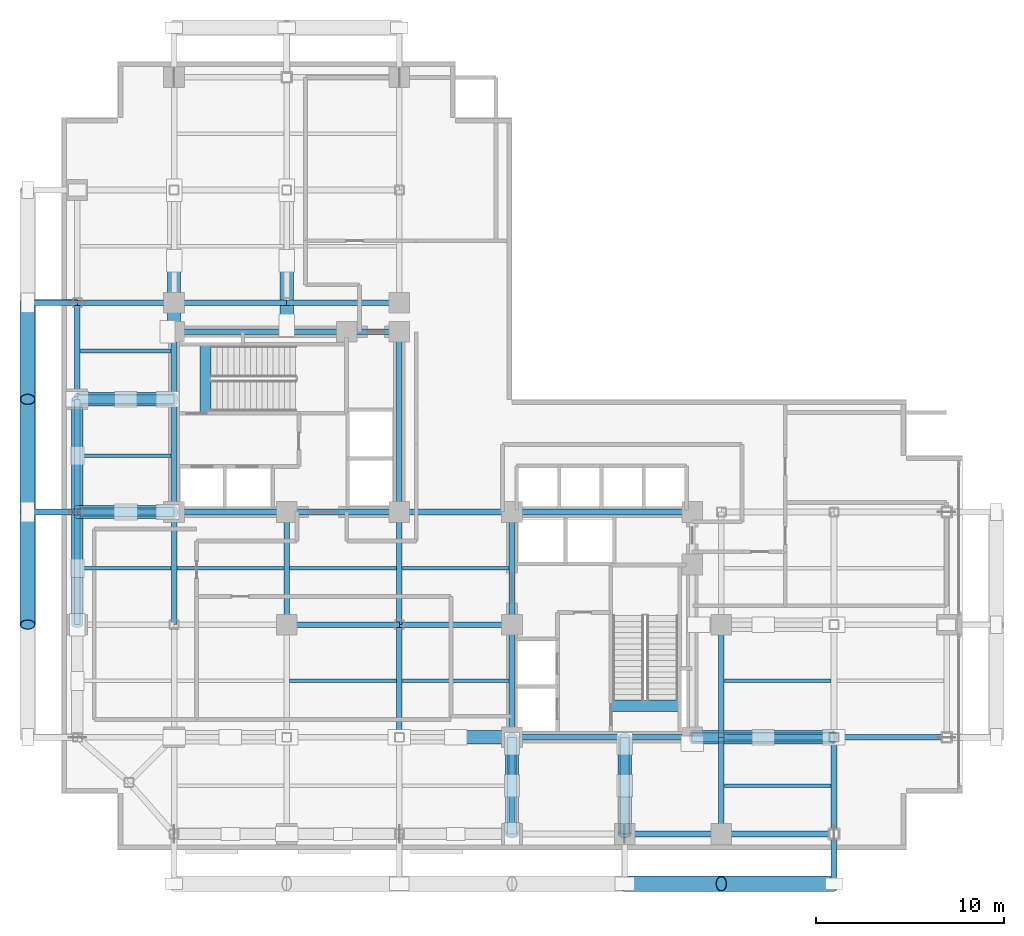
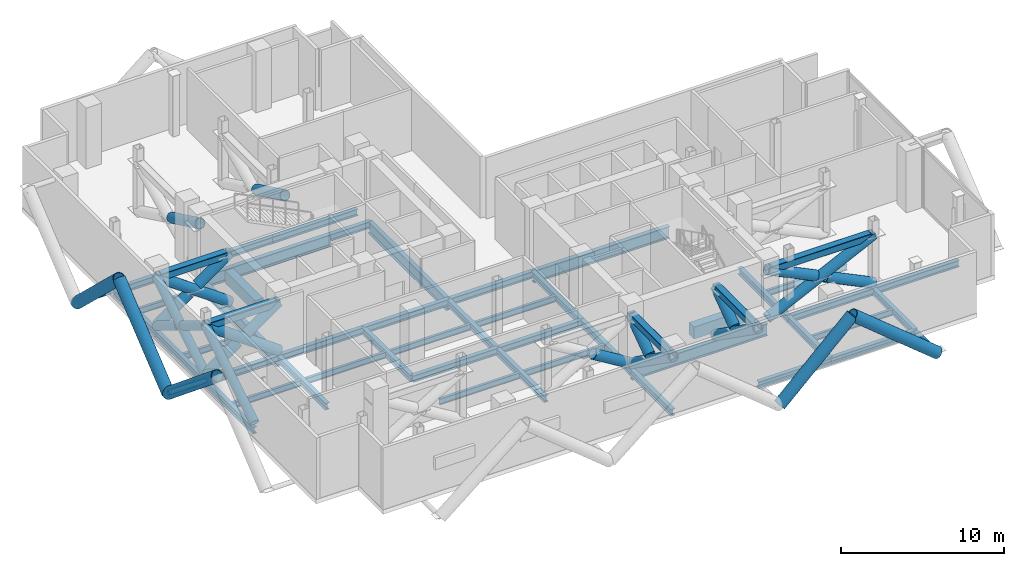
# One storey, part 2 of 9: 44 beams, 34 members.
"""IFC4 building model written with IfcOpenShell, lengths in metres."""

from ifc_helpers import new_model, si_unit, direction, frame, origin, origin_2d, place, context, subcontext, project, spatial, rectangle, hollow_rectangle, hollow_circle, i_section, extrude, material, material_profile, profile_set, type_object, element, save


model = new_model("IFC4")

# Units and contexts
model_context = context("Model", 3, precision=1e-05, world=origin(), true_north=direction((0.0, 1.0)))
body_context = subcontext(model_context, "Body", "Model", "MODEL_VIEW")
ifc_project = project(units=[si_unit("LENGTHUNIT", "METRE"), si_unit("AREAUNIT", "SQUARE_METRE"), si_unit("VOLUMEUNIT", "CUBIC_METRE"), si_unit("PLANEANGLEUNIT", "RADIAN"), si_unit("MASSUNIT", "GRAM", prefix="KILO"), si_unit("THERMODYNAMICTEMPERATUREUNIT", "KELVIN"), si_unit("POWERUNIT", "WATT")], contexts=[model_context])

# Site, building, storey
site_placement = place(None, origin())
site = spatial("IfcSite", under=ifc_project, at=site_placement, CompositionType="ELEMENT")
building_placement = place(site_placement, origin())
building = spatial("IfcBuilding", under=site, at=building_placement, Name="Svarakhadi Broadcast Tower", CompositionType="ELEMENT")
storey_placement = place(building_placement, frame((0.0, 0.0, 164.39990234375)))
storey = spatial("IfcBuildingStorey", under=building, at=storey_placement, Name="L40", CompositionType="ELEMENT", Elevation=164.39990234375)

# Beams
ifc_material_1 = material(Name="Steel S355J2 (IS 2062 E350C)", Category="steel")
ifc_material_profile_1 = material_profile(ifc_material_1, i_section(OverallWidth=0.18994140625, OverallDepth=0.449951171875, WebThickness=0.009521484375, FlangeThickness=0.0146484375, FilletRadius=0.02099609375, at=origin_2d()), Name="NPB 450x190x78")
ifc_profile_set_1 = profile_set([ifc_material_profile_1], Name="Steel S355J2 (IS 2062 E350C)")
beam_type_1 = type_object("IfcBeamType", Name="Beam_NPB450", PredefinedType="BEAM", material=ifc_profile_set_1)
for number, where, z_axis, x_axis, name in (
    (1, (1.010009765625, 15.0, -0.5498046875), (1.0, 0.0, 0.0), (0.0, 1.0, 0.0), "L40 Secondary Composite Beam SB002"),
    (2, (1.010009765625, 21.0, -0.5498046875), (1.0, 0.0, 0.0), (0.0, 1.0, 0.0), "L40 Secondary Composite Beam SB003"),
    (3, (1.010009765625, 26.574951171875, -0.5498046875), (1.0, 0.0, 0.0), (0.0, 1.0, 0.0), "L40 Secondary Composite Beam SB004"),
):
    element("IfcBeam", number, at=place(storey_placement, frame(where, z_axis=z_axis, x_axis=x_axis)), inside=storey, type_object=beam_type_1, Name=name, PredefinedType="BEAM", context=body_context, shape_type="SweptSolid", body=[
        extrude(i_section(OverallWidth=0.18994140625, OverallDepth=0.449951171875, WebThickness=0.009521484375, FlangeThickness=0.0146484375, FilletRadius=0.02099609375, at=origin_2d()), origin(), (0.0, 0.0, 1.0), 4.830078125),
    ])
for number, where, z_axis, x_axis, name in (
    (4, (6.159912109375, 15.0, -0.5498046875), (1.0, 0.0, 0.0), (0.0, 1.0, 0.0), "L40 Secondary Composite Beam SB008"),
    (5, (12.159912109375, 9.0, -0.5498046875), (1.0, 0.0, 0.0), (0.0, 1.0, 0.0), "L40 Secondary Composite Beam SB012"),
    (6, (12.159912109375, 15.0, -0.5498046875), (1.0, 0.0, 0.0), (0.0, 1.0, 0.0), "L40 Secondary Composite Beam SB013"),
    (7, (18.159912109375, 9.0, -0.5498046875), (1.0, 0.0, 0.0), (0.0, 1.0, 0.0), "L40 Secondary Composite Beam SB017"),
    (8, (18.159912109375, 15.0, -0.5498046875), (1.0, 0.0, 0.0), (0.0, 1.0, 0.0), "L40 Secondary Composite Beam SB018"),
):
    element("IfcBeam", number, at=place(storey_placement, frame(where, z_axis=z_axis, x_axis=x_axis)), inside=storey, type_object=beam_type_1, Name=name, PredefinedType="BEAM", context=body_context, shape_type="SweptSolid", body=[
        extrude(i_section(OverallWidth=0.18994140625, OverallDepth=0.449951171875, WebThickness=0.009521484375, FlangeThickness=0.0146484375, FilletRadius=0.02099609375, at=origin_2d()), origin(), (0.0, 0.0, 1.0), 5.68017578125),
    ])
for number, where, z_axis, x_axis, name in (
    (9, (35.31005859375, 3.425048828125, -0.5498046875), (1.0, 0.0, 0.0), (0.0, 1.0, 0.0), "L40 Secondary Composite Beam SB019"),
    (10, (35.31005859375, 9.0, -0.5498046875), (1.0, 0.0, 0.0), (0.0, 1.0, 0.0), "L40 Secondary Composite Beam SB020"),
):
    element("IfcBeam", number, at=place(storey_placement, frame(where, z_axis=z_axis, x_axis=x_axis)), inside=storey, type_object=beam_type_1, Name=name, PredefinedType="BEAM", context=body_context, shape_type="SweptSolid", body=[
        extrude(i_section(OverallWidth=0.18994140625, OverallDepth=0.449951171875, WebThickness=0.009521484375, FlangeThickness=0.0146484375, FilletRadius=0.02099609375, at=origin_2d()), origin(), (0.0, 0.0, 1.0), 5.679931640625),
    ])

# Members
ifc_material_2 = material(Name="Steel S460ML (IS 2062 E450BR)", Category="steel")
ifc_material_profile_2 = material_profile(ifc_material_2, hollow_circle(Radius=0.304931640625, WallThickness=0.030029296875, at=origin_2d()), Name="CHS 610x30")
ifc_profile_set_2 = profile_set([ifc_material_profile_2], Name="Steel S460ML (IS 2062 E450BR)")
member_type_1 = type_object("IfcMemberType", Name="Belt_Brace_BT01", PredefinedType="BRACE", material=ifc_profile_set_2)
member_1_placement = place(storey_placement, frame((0.85009765625, 12.0, 0.0), z_axis=(0.0, 0.85495943252, 0.51869487056), x_axis=(-1.0, 0.0, 0.0)))
element("IfcMember", 11, at=member_1_placement, inside=storey, type_object=member_type_1, Name="L40 Perimeter Belt Truss Diagonal BT-05A", PredefinedType="BRACE", context=body_context, shape_type="SweptSolid", body=[
    extrude(hollow_circle(Radius=0.304931640625, WallThickness=0.030029296875, at=origin_2d()), origin(), (0.0, 0.0, 1.0), 7.017822265625),
])
member_2_placement = place(storey_placement, frame((0.85009765625, 18.0, 0.0), z_axis=(0.0, -0.854961313502, 0.518691770143), x_axis=(1.0, 0.0, 0.0)))
element("IfcMember", 12, at=member_2_placement, inside=storey, type_object=member_type_1, Name="L40 Perimeter Belt Truss Diagonal BT-05B1", PredefinedType="BRACE", context=body_context, shape_type="SweptSolid", body=[
    extrude(hollow_circle(Radius=0.304931640625, WallThickness=0.030029296875, at=origin_2d()), origin(), (0.0, 0.0, 1.0), 3.203857421875),
])
member_3_placement = place(storey_placement, frame((0.85009765625, 18.0, 0.0), z_axis=(0.0, 0.85495943252, 0.51869487056), x_axis=(-1.0, 0.0, 0.0)))
element("IfcMember", 13, at=member_3_placement, inside=storey, type_object=member_type_1, Name="L40 Perimeter Belt Truss Diagonal BT-06A", PredefinedType="BRACE", context=body_context, shape_type="SweptSolid", body=[
    extrude(hollow_circle(Radius=0.304931640625, WallThickness=0.030029296875, at=origin_2d()), origin(), (0.0, 0.0, 1.0), 7.017822265625),
])
for number, where, z_axis, x_axis, name in (
    (14, (0.85009765625, 24.0, 0.0), (0.0, -0.854961313502, 0.518691770143), (1.0, 0.0, 0.0), "L40 Perimeter Belt Truss Diagonal BT-06B1"),
    (15, (0.85009765625, 20.7392578125, 1.978271484375), (0.0, -0.854961313502, 0.518691770143), (1.0, 0.0, 0.0), "L40 Perimeter Belt Truss Diagonal BT-06B2"),
):
    element("IfcMember", number, at=place(storey_placement, frame(where, z_axis=z_axis, x_axis=x_axis)), inside=storey, type_object=member_type_1, Name=name, PredefinedType="BRACE", context=body_context, shape_type="SweptSolid", body=[
        extrude(hollow_circle(Radius=0.304931640625, WallThickness=0.030029296875, at=origin_2d()), origin(), (0.0, 0.0, 1.0), 3.203857421875),
    ])

# Beams
ifc_material_3 = material(Name="Concrete C50/60 (IS 456 M60)", Category="concrete")
ifc_material_profile_3 = material_profile(ifc_material_3, rectangle(XDim=0.60009765625, YDim=0.89990234375, at=origin_2d()), Name="RC 600x900")
ifc_profile_set_3 = profile_set([ifc_material_profile_3], Name="Concrete C50/60 (IS 456 M60)")
beam_type_2 = type_object("IfcBeamType", Name="Coupling_RC600", PredefinedType="USERDEFINED", material=ifc_profile_set_3)
for number, where, z_axis, x_axis, name in (
    (16, (7.679931640625, 23.260009765625, -0.449951171875), (0.0, 1.0, 0.0), (-1.0, 0.0, 0.0), "L40 Stair ST-01 Landing Throat Trimmer Beam CB-01"),
    (17, (29.260009765625, 7.679931640625, -0.449951171875), (1.0, 0.0, 0.0), (0.0, 1.0, 0.0), "L40 Stair ST-02 Landing Throat Trimmer Beam CB-01"),
):
    element("IfcBeam", number, at=place(storey_placement, frame(where, z_axis=z_axis, x_axis=x_axis)), inside=storey, type_object=beam_type_2, Name=name, ObjectType="GIRDER", PredefinedType="USERDEFINED", context=body_context, shape_type="SweptSolid", body=[
        extrude(rectangle(XDim=0.60009765625, YDim=0.89990234375, at=origin_2d()), origin(), (0.0, 0.0, 1.0), 3.679931640625),
    ])

# Members
ifc_material_profile_4 = material_profile(ifc_material_2, hollow_circle(Radius=0.406494140625, WallThickness=0.0400390625, at=origin_2d()), Name="CHS 813x40")
ifc_profile_set_4 = profile_set([ifc_material_profile_4], Name="Steel S460ML (IS 2062 E450BR)")
member_type_2 = type_object("IfcMemberType", Name="Exo_Brace_CHS813", PredefinedType="BRACE", material=ifc_profile_set_4)
member_4_placement = place(storey_placement, frame((30.0, -1.800048828125, -0.48681640625), z_axis=(0.723410042479, 0.0, 0.690418648677), x_axis=(0.0, 1.0, 0.0)))
element("IfcMember", 18, at=member_4_placement, inside=storey, type_object=member_type_2, Name="L40 Exposed Bronze Exoskeleton Diagonal S05", PredefinedType="BRACE", context=body_context, shape_type="SweptSolid", body=[
    extrude(hollow_circle(Radius=0.406494140625, WallThickness=0.0400390625, at=origin_2d()), origin(), (0.0, 0.0, 1.0), 7.118896484375),
])
for number, where, z_axis, x_axis, name in (
    (19, (41.14990234375, -1.800048828125, -0.48681640625), (-0.773581307551, 0.0, 0.633697057439), (0.0, -1.0, 0.0), "L40 Exposed Bronze Exoskeleton Diagonal S06"),
    (20, (-1.800048828125, 18.0, -0.48681640625), (0.0, -0.773581307551, 0.633697057439), (1.0, 0.0, 0.0), "L40 Exposed Bronze Exoskeleton Diagonal W08"),
    (21, (-1.800048828125, 18.0, -0.48681640625), (0.0, 0.773581307551, 0.633697057439), (-1.0, 0.0, 0.0), "L40 Exposed Bronze Exoskeleton Diagonal W09"),
):
    element("IfcMember", number, at=place(storey_placement, frame(where, z_axis=z_axis, x_axis=x_axis)), inside=storey, type_object=member_type_2, Name=name, PredefinedType="BRACE", context=body_context, shape_type="SweptSolid", body=[
        extrude(hollow_circle(Radius=0.406494140625, WallThickness=0.0400390625, at=origin_2d()), origin(), (0.0, 0.0, 1.0), 7.756103515625),
    ])
member_5_placement = place(storey_placement, frame((-1.800048828125, 29.14990234375, -0.48681640625), z_axis=(0.0, -0.723410042479, 0.690418648677), x_axis=(1.0, 0.0, 0.0)))
element("IfcMember", 22, at=member_5_placement, inside=storey, type_object=member_type_2, Name="L40 Exposed Bronze Exoskeleton Diagonal W10", PredefinedType="BRACE", context=body_context, shape_type="SweptSolid", body=[
    extrude(hollow_circle(Radius=0.406494140625, WallThickness=0.0400390625, at=origin_2d()), origin(), (0.0, 0.0, 1.0), 7.118896484375),
])
ifc_material_profile_5 = material_profile(ifc_material_2, hollow_circle(Radius=0.161865234375, WallThickness=0.01611328125, at=origin_2d()), Name="CHS 323.9x16")
ifc_profile_set_5 = profile_set([ifc_material_profile_5], Name="Steel S460ML (IS 2062 E450BR)")
member_type_3 = type_object("IfcMemberType", Name="Exo_Radial_Strut_Z2", PredefinedType="STRUT", material=ifc_profile_set_5)
for number, where, z_axis, x_axis, name in (
    (23, (41.14990234375, -1.800048828125, -0.48681640625), (0.0, 1.0, 0.0), (-1.0, 0.0, 0.0), "L40 Exoskeleton Radial Tie Strut S04"),
    (24, (-1.800048828125, 18.0, -0.48681640625), (1.0, 0.0, 0.0), (0.0, 1.0, 0.0), "L40 Exoskeleton Radial Tie Strut W06"),
    (25, (-1.800048828125, 29.14990234375, -0.48681640625), (1.0, 0.0, 0.0), (0.0, 1.0, 0.0), "L40 Exoskeleton Radial Tie Strut W07"),
):
    element("IfcMember", number, at=place(storey_placement, frame(where, z_axis=z_axis, x_axis=x_axis)), inside=storey, type_object=member_type_3, Name=name, PredefinedType="STRUT", context=body_context, shape_type="SweptSolid", body=[
        extrude(hollow_circle(Radius=0.161865234375, WallThickness=0.01611328125, at=origin_2d()), origin(), (0.0, 0.0, 1.0), 2.650146484375),
    ])

# Beams
ifc_material_profile_6 = material_profile(ifc_material_1, i_section(OverallWidth=0.300048828125, OverallDepth=0.5, WebThickness=0.014404296875, FlangeThickness=0.028076171875, FilletRadius=0.027099609375, at=origin_2d()), Name="WPB 500x300x187")
ifc_profile_set_6 = profile_set([ifc_material_profile_6], Name="Steel S355J2 (IS 2062 E350C)")
beam_type_3 = type_object("IfcBeamType", Name="Girder_WPB500", PredefinedType="USERDEFINED", material=ifc_profile_set_6)
beam_1_placement = place(storey_placement, frame((30.0, 0.85009765625, -0.574951171875), z_axis=(1.0, 0.0, 0.0), x_axis=(0.0, 1.0, 0.0)))
element("IfcBeam", 26, at=beam_1_placement, inside=storey, type_object=beam_type_3, Name="L40 Primary E-W Girder G008", ObjectType="GIRDER", PredefinedType="USERDEFINED", context=body_context, shape_type="SweptSolid", body=[
    extrude(i_section(OverallWidth=0.300048828125, OverallDepth=0.5, WebThickness=0.014404296875, FlangeThickness=0.028076171875, FilletRadius=0.027099609375, at=origin_2d()), origin(), (0.0, 0.0, 1.0), 5.14990234375),
])
for number, where, z_axis, x_axis, name in (
    (27, (35.14990234375, 0.85009765625, -0.574951171875), (1.0, 0.0, 0.0), (0.0, 1.0, 0.0), "L40 Primary E-W Girder G009"),
    (28, (35.14990234375, 6.0, -0.574951171875), (1.0, 0.0, 0.0), (0.0, 1.0, 0.0), "L40 Primary E-W Girder G015"),
    (29, (41.14990234375, 6.0, -0.574951171875), (1.0, 0.0, 0.0), (0.0, 1.0, 0.0), "L40 Primary E-W Girder G016"),
    (30, (12.0, 12.0, -0.574951171875), (1.0, 0.0, 0.0), (0.0, 1.0, 0.0), "L40 Primary E-W Girder G019"),
    (31, (18.0, 12.0, -0.574951171875), (1.0, 0.0, 0.0), (0.0, 1.0, 0.0), "L40 Primary E-W Girder G020"),
):
    element("IfcBeam", number, at=place(storey_placement, frame(where, z_axis=z_axis, x_axis=x_axis)), inside=storey, type_object=beam_type_3, Name=name, ObjectType="GIRDER", PredefinedType="USERDEFINED", context=body_context, shape_type="SweptSolid", body=[
        extrude(i_section(OverallWidth=0.300048828125, OverallDepth=0.5, WebThickness=0.014404296875, FlangeThickness=0.028076171875, FilletRadius=0.027099609375, at=origin_2d()), origin(), (0.0, 0.0, 1.0), 6.0),
    ])
beam_2_placement = place(storey_placement, frame((0.85009765625, 18.0, -0.574951171875), z_axis=(1.0, 0.0, 0.0), x_axis=(0.0, 1.0, 0.0)))
element("IfcBeam", 32, at=beam_2_placement, inside=storey, type_object=beam_type_3, Name="L40 Primary E-W Girder G023", ObjectType="GIRDER", PredefinedType="USERDEFINED", context=body_context, shape_type="SweptSolid", body=[
    extrude(i_section(OverallWidth=0.300048828125, OverallDepth=0.5, WebThickness=0.014404296875, FlangeThickness=0.028076171875, FilletRadius=0.027099609375, at=origin_2d()), origin(), (0.0, 0.0, 1.0), 5.14990234375),
])
for number, where, z_axis, x_axis, name in (
    (33, (6.0, 18.0, -0.574951171875), (1.0, 0.0, 0.0), (0.0, 1.0, 0.0), "L40 Primary E-W Girder G024"),
    (34, (12.0, 18.0, -0.574951171875), (1.0, 0.0, 0.0), (0.0, 1.0, 0.0), "L40 Primary E-W Girder G025"),
    (35, (18.0, 18.0, -0.574951171875), (1.0, 0.0, 0.0), (0.0, 1.0, 0.0), "L40 Primary E-W Girder G026"),
):
    element("IfcBeam", number, at=place(storey_placement, frame(where, z_axis=z_axis, x_axis=x_axis)), inside=storey, type_object=beam_type_3, Name=name, ObjectType="GIRDER", PredefinedType="USERDEFINED", context=body_context, shape_type="SweptSolid", body=[
        extrude(i_section(OverallWidth=0.300048828125, OverallDepth=0.5, WebThickness=0.014404296875, FlangeThickness=0.028076171875, FilletRadius=0.027099609375, at=origin_2d()), origin(), (0.0, 0.0, 1.0), 6.0),
    ])
beam_3_placement = place(storey_placement, frame((15.199951171875, 27.60009765625, -0.574951171875), z_axis=(1.0, 0.0, 0.0), x_axis=(0.0, 1.0, 0.0)))
element("IfcBeam", 36, at=beam_3_placement, inside=storey, type_object=beam_type_3, Name="L40 Primary E-W Girder G031", ObjectType="GIRDER", PredefinedType="USERDEFINED", context=body_context, shape_type="SweptSolid", body=[
    extrude(i_section(OverallWidth=0.300048828125, OverallDepth=0.5, WebThickness=0.014404296875, FlangeThickness=0.028076171875, FilletRadius=0.027099609375, at=origin_2d()), origin(), (0.0, 0.0, 1.0), 2.800048828125),
])
beam_4_placement = place(storey_placement, frame((0.85009765625, 29.14990234375, -0.574951171875), z_axis=(1.0, 0.0, 0.0), x_axis=(0.0, 1.0, 0.0)))
element("IfcBeam", 37, at=beam_4_placement, inside=storey, type_object=beam_type_3, Name="L40 Primary E-W Girder G032", ObjectType="GIRDER", PredefinedType="USERDEFINED", context=body_context, shape_type="SweptSolid", body=[
    extrude(i_section(OverallWidth=0.300048828125, OverallDepth=0.5, WebThickness=0.014404296875, FlangeThickness=0.028076171875, FilletRadius=0.027099609375, at=origin_2d()), origin(), (0.0, 0.0, 1.0), 5.14990234375),
])
for number, where, z_axis, x_axis, name in (
    (38, (6.0, 29.14990234375, -0.574951171875), (1.0, 0.0, 0.0), (0.0, 1.0, 0.0), "L40 Primary E-W Girder G033"),
    (39, (12.0, 29.14990234375, -0.574951171875), (1.0, 0.0, 0.0), (0.0, 1.0, 0.0), "L40 Primary E-W Girder G034"),
    (40, (0.85009765625, 12.0, -0.574951171875), (0.0, 1.0, 0.0), (-1.0, 0.0, 0.0), "L40 Primary N-S Girder G041"),
    (41, (0.85009765625, 18.0, -0.574951171875), (0.0, 1.0, 0.0), (-1.0, 0.0, 0.0), "L40 Primary N-S Girder G042"),
):
    element("IfcBeam", number, at=place(storey_placement, frame(where, z_axis=z_axis, x_axis=x_axis)), inside=storey, type_object=beam_type_3, Name=name, ObjectType="GIRDER", PredefinedType="USERDEFINED", context=body_context, shape_type="SweptSolid", body=[
        extrude(i_section(OverallWidth=0.300048828125, OverallDepth=0.5, WebThickness=0.014404296875, FlangeThickness=0.028076171875, FilletRadius=0.027099609375, at=origin_2d()), origin(), (0.0, 0.0, 1.0), 6.0),
    ])
beam_5_placement = place(storey_placement, frame((0.85009765625, 24.0, -0.574951171875), z_axis=(0.0, 1.0, 0.0), x_axis=(-1.0, 0.0, 0.0)))
element("IfcBeam", 42, at=beam_5_placement, inside=storey, type_object=beam_type_3, Name="L40 Primary N-S Girder G043", ObjectType="GIRDER", PredefinedType="USERDEFINED", context=body_context, shape_type="SweptSolid", body=[
    extrude(i_section(OverallWidth=0.300048828125, OverallDepth=0.5, WebThickness=0.014404296875, FlangeThickness=0.028076171875, FilletRadius=0.027099609375, at=origin_2d()), origin(), (0.0, 0.0, 1.0), 5.14990234375),
])
for number, where, z_axis, x_axis, name in (
    (43, (6.0, 12.0, -0.574951171875), (0.0, 1.0, 0.0), (-1.0, 0.0, 0.0), "L40 Primary N-S Girder G047"),
    (44, (12.0, 12.0, -0.574951171875), (0.0, 1.0, 0.0), (-1.0, 0.0, 0.0), "L40 Primary N-S Girder G053"),
    (45, (18.0, 6.0, -0.574951171875), (0.0, 1.0, 0.0), (-1.0, 0.0, 0.0), "L40 Primary N-S Girder G057"),
    (46, (18.0, 12.0, -0.574951171875), (0.0, 1.0, 0.0), (-1.0, 0.0, 0.0), "L40 Primary N-S Girder G058"),
):
    element("IfcBeam", number, at=place(storey_placement, frame(where, z_axis=z_axis, x_axis=x_axis)), inside=storey, type_object=beam_type_3, Name=name, ObjectType="GIRDER", PredefinedType="USERDEFINED", context=body_context, shape_type="SweptSolid", body=[
        extrude(i_section(OverallWidth=0.300048828125, OverallDepth=0.5, WebThickness=0.014404296875, FlangeThickness=0.028076171875, FilletRadius=0.027099609375, at=origin_2d()), origin(), (0.0, 0.0, 1.0), 6.0),
    ])
beam_6_placement = place(storey_placement, frame((24.0, 0.85009765625, -0.574951171875), z_axis=(0.0, 1.0, 0.0), x_axis=(-1.0, 0.0, 0.0)))
element("IfcBeam", 47, at=beam_6_placement, inside=storey, type_object=beam_type_3, Name="L40 Primary N-S Girder G062", ObjectType="GIRDER", PredefinedType="USERDEFINED", context=body_context, shape_type="SweptSolid", body=[
    extrude(i_section(OverallWidth=0.300048828125, OverallDepth=0.5, WebThickness=0.014404296875, FlangeThickness=0.028076171875, FilletRadius=0.027099609375, at=origin_2d()), origin(), (0.0, 0.0, 1.0), 5.14990234375),
])
for number, where, z_axis, x_axis, name in (
    (48, (24.0, 6.0, -0.574951171875), (0.0, 1.0, 0.0), (-1.0, 0.0, 0.0), "L40 Primary N-S Girder G063"),
    (49, (24.0, 12.0, -0.574951171875), (0.0, 1.0, 0.0), (-1.0, 0.0, 0.0), "L40 Primary N-S Girder G064"),
):
    element("IfcBeam", number, at=place(storey_placement, frame(where, z_axis=z_axis, x_axis=x_axis)), inside=storey, type_object=beam_type_3, Name=name, ObjectType="GIRDER", PredefinedType="USERDEFINED", context=body_context, shape_type="SweptSolid", body=[
        extrude(i_section(OverallWidth=0.300048828125, OverallDepth=0.5, WebThickness=0.014404296875, FlangeThickness=0.028076171875, FilletRadius=0.027099609375, at=origin_2d()), origin(), (0.0, 0.0, 1.0), 6.0),
    ])
beam_7_placement = place(storey_placement, frame((35.14990234375, 0.85009765625, -0.574951171875), z_axis=(0.0, 1.0, 0.0), x_axis=(-1.0, 0.0, 0.0)))
element("IfcBeam", 50, at=beam_7_placement, inside=storey, type_object=beam_type_3, Name="L40 Primary N-S Girder G067", ObjectType="GIRDER", PredefinedType="USERDEFINED", context=body_context, shape_type="SweptSolid", body=[
    extrude(i_section(OverallWidth=0.300048828125, OverallDepth=0.5, WebThickness=0.014404296875, FlangeThickness=0.028076171875, FilletRadius=0.027099609375, at=origin_2d()), origin(), (0.0, 0.0, 1.0), 5.14990234375),
])
beam_8_placement = place(storey_placement, frame((35.14990234375, 6.0, -0.574951171875), z_axis=(0.0, 1.0, 0.0), x_axis=(-1.0, 0.0, 0.0)))
element("IfcBeam", 51, at=beam_8_placement, inside=storey, type_object=beam_type_3, Name="L40 Primary N-S Girder G068", ObjectType="GIRDER", PredefinedType="USERDEFINED", context=body_context, shape_type="SweptSolid", body=[
    extrude(i_section(OverallWidth=0.300048828125, OverallDepth=0.5, WebThickness=0.014404296875, FlangeThickness=0.028076171875, FilletRadius=0.027099609375, at=origin_2d()), origin(), (0.0, 0.0, 1.0), 6.0),
])
beam_9_placement = place(storey_placement, frame((41.14990234375, 0.85009765625, -0.574951171875), z_axis=(0.0, 1.0, 0.0), x_axis=(-1.0, 0.0, 0.0)))
element("IfcBeam", 52, at=beam_9_placement, inside=storey, type_object=beam_type_3, Name="L40 Primary N-S Girder G070", ObjectType="GIRDER", PredefinedType="USERDEFINED", context=body_context, shape_type="SweptSolid", body=[
    extrude(i_section(OverallWidth=0.300048828125, OverallDepth=0.5, WebThickness=0.014404296875, FlangeThickness=0.028076171875, FilletRadius=0.027099609375, at=origin_2d()), origin(), (0.0, 0.0, 1.0), 5.14990234375),
])
ifc_material_profile_7 = material_profile(ifc_material_2, i_section(OverallWidth=0.300048828125, OverallDepth=0.89990234375, WebThickness=0.0185546875, FlangeThickness=0.034912109375, FilletRadius=0.030029296875, at=origin_2d()), Name="WPB 900x300x291")
ifc_profile_set_7 = profile_set([ifc_material_profile_7], Name="Steel S460ML (IS 2062 E450BR)")
beam_type_4 = type_object("IfcBeamType", Name="Girder_WPB900", PredefinedType="USERDEFINED", material=ifc_profile_set_7)
for number, where, z_axis, x_axis, name in (
    (53, (24.0, 6.0, -0.77490234375), (1.0, 0.0, 0.0), (0.0, 1.0, 0.0), "L40 Primary E-W Girder G014"),
    (54, (24.0, 18.0, -0.77490234375), (1.0, 0.0, 0.0), (0.0, 1.0, 0.0), "L40 Primary E-W Girder G027"),
):
    element("IfcBeam", number, at=place(storey_placement, frame(where, z_axis=z_axis, x_axis=x_axis)), inside=storey, type_object=beam_type_4, Name=name, ObjectType="GIRDER", PredefinedType="USERDEFINED", context=body_context, shape_type="SweptSolid", body=[
        extrude(i_section(OverallWidth=0.300048828125, OverallDepth=0.89990234375, WebThickness=0.0185546875, FlangeThickness=0.034912109375, FilletRadius=0.030029296875, at=origin_2d()), origin(), (0.0, 0.0, 1.0), 9.60009765625),
    ])
beam_10_placement = place(storey_placement, frame((6.0, 27.60009765625, -0.77490234375), z_axis=(1.0, 0.0, 0.0), x_axis=(0.0, 1.0, 0.0)))
element("IfcBeam", 55, at=beam_10_placement, inside=storey, type_object=beam_type_4, Name="L40 Primary E-W Girder G030", ObjectType="GIRDER", PredefinedType="USERDEFINED", context=body_context, shape_type="SweptSolid", body=[
    extrude(i_section(OverallWidth=0.300048828125, OverallDepth=0.89990234375, WebThickness=0.0185546875, FlangeThickness=0.034912109375, FilletRadius=0.030029296875, at=origin_2d()), origin(), (0.0, 0.0, 1.0), 9.199951171875),
])
for number, where, z_axis, x_axis, name in (
    (56, (6.0, 18.0, -0.77490234375), (0.0, 1.0, 0.0), (-1.0, 0.0, 0.0), "L40 Primary N-S Girder G048"),
    (57, (18.0, 18.0, -0.77490234375), (0.0, 1.0, 0.0), (-1.0, 0.0, 0.0), "L40 Primary N-S Girder G059"),
):
    element("IfcBeam", number, at=place(storey_placement, frame(where, z_axis=z_axis, x_axis=x_axis)), inside=storey, type_object=beam_type_4, Name=name, ObjectType="GIRDER", PredefinedType="USERDEFINED", context=body_context, shape_type="SweptSolid", body=[
        extrude(i_section(OverallWidth=0.300048828125, OverallDepth=0.89990234375, WebThickness=0.0185546875, FlangeThickness=0.034912109375, FilletRadius=0.030029296875, at=origin_2d()), origin(), (0.0, 0.0, 1.0), 9.60009765625),
    ])

# Members
ifc_material_profile_8 = material_profile(ifc_material_2, hollow_circle(Radius=0.35546875, WallThickness=0.034912109375, at=origin_2d()), Name="CHS 711x35")
ifc_profile_set_8 = profile_set([ifc_material_profile_8], Name="Steel S460ML (IS 2062 E450BR)")
member_type_4 = type_object("IfcMemberType", Name="Outrigger_Brace_OT01", PredefinedType="BRACE", material=ifc_profile_set_8)
member_6_placement = place(storey_placement, frame((6.0, 18.0, 0.0), z_axis=(-0.816600778814, 0.0, 0.577202882911), x_axis=(0.0, -1.0, 0.0)))
element("IfcMember", 58, at=member_6_placement, inside=storey, type_object=member_type_4, Name="L40 Core-to-Perimeter Outrigger Truss Diagonal OT-01A", PredefinedType="BRACE", context=body_context, shape_type="SweptSolid", body=[
    extrude(hollow_circle(Radius=0.35546875, WallThickness=0.034912109375, at=origin_2d()), origin(), (0.0, 0.0, 1.0), 6.306396484375),
])
member_7_placement = place(storey_placement, frame((0.85009765625, 18.0, 0.0), z_axis=(0.81658317147, 0.0, 0.577227792186), x_axis=(0.0, 1.0, 0.0)))
element("IfcMember", 59, at=member_7_placement, inside=storey, type_object=member_type_4, Name="L40 Core-to-Perimeter Outrigger Truss Diagonal OT-01B1", PredefinedType="BRACE", context=body_context, shape_type="SweptSolid", body=[
    extrude(hollow_circle(Radius=0.35546875, WallThickness=0.034912109375, at=origin_2d()), origin(), (0.0, 0.0, 1.0), 2.7978515625),
])
member_8_placement = place(storey_placement, frame((3.71533203125, 18.0, 2.025390625), z_axis=(0.816624302068, 0.0, 0.577169601825), x_axis=(0.0, 1.0, 0.0)))
element("IfcMember", 60, at=member_8_placement, inside=storey, type_object=member_type_4, Name="L40 Core-to-Perimeter Outrigger Truss Diagonal OT-01B2", PredefinedType="BRACE", context=body_context, shape_type="SweptSolid", body=[
    extrude(hollow_circle(Radius=0.35546875, WallThickness=0.034912109375, at=origin_2d()), origin(), (0.0, 0.0, 1.0), 2.797607421875),
])
member_9_placement = place(storey_placement, frame((6.0, 24.0, 0.0), z_axis=(-0.816600778814, 0.0, 0.577202882911), x_axis=(0.0, -1.0, 0.0)))
element("IfcMember", 61, at=member_9_placement, inside=storey, type_object=member_type_4, Name="L40 Core-to-Perimeter Outrigger Truss Diagonal OT-02A", PredefinedType="BRACE", context=body_context, shape_type="SweptSolid", body=[
    extrude(hollow_circle(Radius=0.35546875, WallThickness=0.034912109375, at=origin_2d()), origin(), (0.0, 0.0, 1.0), 6.306396484375),
])
member_10_placement = place(storey_placement, frame((0.85009765625, 24.0, 0.0), z_axis=(0.81658317147, 0.0, 0.577227792186), x_axis=(0.0, 1.0, 0.0)))
element("IfcMember", 62, at=member_10_placement, inside=storey, type_object=member_type_4, Name="L40 Core-to-Perimeter Outrigger Truss Diagonal OT-02B1", PredefinedType="BRACE", context=body_context, shape_type="SweptSolid", body=[
    extrude(hollow_circle(Radius=0.35546875, WallThickness=0.034912109375, at=origin_2d()), origin(), (0.0, 0.0, 1.0), 2.7978515625),
])
member_11_placement = place(storey_placement, frame((3.71533203125, 24.0, 2.025390625), z_axis=(0.816624302068, 0.0, 0.577169601825), x_axis=(0.0, 1.0, 0.0)))
element("IfcMember", 63, at=member_11_placement, inside=storey, type_object=member_type_4, Name="L40 Core-to-Perimeter Outrigger Truss Diagonal OT-02B2", PredefinedType="BRACE", context=body_context, shape_type="SweptSolid", body=[
    extrude(hollow_circle(Radius=0.35546875, WallThickness=0.034912109375, at=origin_2d()), origin(), (0.0, 0.0, 1.0), 2.797607421875),
])
for number, where, z_axis, x_axis, name in (
    (64, (6.0, 31.0546875, 1.974609375), (0.0, -0.90077668596, 0.434282583153), (1.0, 0.0, 0.0), "L40 Core-to-Perimeter Outrigger Truss Diagonal OT-03B2"),
    (65, (12.0, 31.0546875, 1.974609375), (0.0, -0.90077668596, 0.434282583153), (1.0, 0.0, 0.0), "L40 Core-to-Perimeter Outrigger Truss Diagonal OT-04B2"),
):
    element("IfcMember", number, at=place(storey_placement, frame(where, z_axis=z_axis, x_axis=x_axis)), inside=storey, type_object=member_type_4, Name=name, PredefinedType="BRACE", context=body_context, shape_type="SweptSolid", body=[
        extrude(hollow_circle(Radius=0.35546875, WallThickness=0.034912109375, at=origin_2d()), origin(), (0.0, 0.0, 1.0), 3.835205078125),
    ])
member_12_placement = place(storey_placement, frame((24.0, 6.0, 0.0), z_axis=(0.0, -0.816600778814, 0.577202882911), x_axis=(1.0, 0.0, 0.0)))
element("IfcMember", 66, at=member_12_placement, inside=storey, type_object=member_type_4, Name="L40 Core-to-Perimeter Outrigger Truss Diagonal OT-05A", PredefinedType="BRACE", context=body_context, shape_type="SweptSolid", body=[
    extrude(hollow_circle(Radius=0.35546875, WallThickness=0.034912109375, at=origin_2d()), origin(), (0.0, 0.0, 1.0), 6.306396484375),
])
member_13_placement = place(storey_placement, frame((24.0, 3.71533203125, 2.025390625), z_axis=(0.0, 0.816624302068, 0.577169601825), x_axis=(-1.0, 0.0, 0.0)))
element("IfcMember", 67, at=member_13_placement, inside=storey, type_object=member_type_4, Name="L40 Core-to-Perimeter Outrigger Truss Diagonal OT-05B2", PredefinedType="BRACE", context=body_context, shape_type="SweptSolid", body=[
    extrude(hollow_circle(Radius=0.35546875, WallThickness=0.034912109375, at=origin_2d()), origin(), (0.0, 0.0, 1.0), 2.797607421875),
])
member_14_placement = place(storey_placement, frame((30.0, 6.0, 0.0), z_axis=(0.0, -0.816600778814, 0.577202882911), x_axis=(1.0, 0.0, 0.0)))
element("IfcMember", 68, at=member_14_placement, inside=storey, type_object=member_type_4, Name="L40 Core-to-Perimeter Outrigger Truss Diagonal OT-06A", PredefinedType="BRACE", context=body_context, shape_type="SweptSolid", body=[
    extrude(hollow_circle(Radius=0.35546875, WallThickness=0.034912109375, at=origin_2d()), origin(), (0.0, 0.0, 1.0), 6.306396484375),
])
member_15_placement = place(storey_placement, frame((30.0, 3.71533203125, 2.025390625), z_axis=(0.0, 0.816624302068, 0.577169601825), x_axis=(-1.0, 0.0, 0.0)))
element("IfcMember", 69, at=member_15_placement, inside=storey, type_object=member_type_4, Name="L40 Core-to-Perimeter Outrigger Truss Diagonal OT-06B2", PredefinedType="BRACE", context=body_context, shape_type="SweptSolid", body=[
    extrude(hollow_circle(Radius=0.35546875, WallThickness=0.034912109375, at=origin_2d()), origin(), (0.0, 0.0, 1.0), 2.797607421875),
])
member_16_placement = place(storey_placement, frame((33.60009765625, 6.0, 0.0), z_axis=(0.900766239544, 0.0, 0.434304250149), x_axis=(0.0, 1.0, 0.0)))
element("IfcMember", 70, at=member_16_placement, inside=storey, type_object=member_type_4, Name="L40 Core-to-Perimeter Outrigger Truss Diagonal OT-07A", PredefinedType="BRACE", context=body_context, shape_type="SweptSolid", body=[
    extrude(hollow_circle(Radius=0.35546875, WallThickness=0.034912109375, at=origin_2d()), origin(), (0.0, 0.0, 1.0), 8.381591796875),
])
for number, where, z_axis, x_axis, name in (
    (71, (41.14990234375, 6.0, 0.0), (-0.900751782249, 0.0, 0.434334233943), (0.0, -1.0, 0.0), "L40 Core-to-Perimeter Outrigger Truss Diagonal OT-07B1"),
    (72, (37.0546875, 6.0, 1.974609375), (-0.90077668596, 0.0, 0.434282583153), (0.0, -1.0, 0.0), "L40 Core-to-Perimeter Outrigger Truss Diagonal OT-07B2"),
):
    element("IfcMember", number, at=place(storey_placement, frame(where, z_axis=z_axis, x_axis=x_axis)), inside=storey, type_object=member_type_4, Name=name, PredefinedType="BRACE", context=body_context, shape_type="SweptSolid", body=[
        extrude(hollow_circle(Radius=0.35546875, WallThickness=0.034912109375, at=origin_2d()), origin(), (0.0, 0.0, 1.0), 3.835205078125),
    ])
member_17_placement = place(storey_placement, frame((24.0, 6.0, 0.0), z_axis=(-0.854948158462, 0.0, 0.518713453019), x_axis=(0.0, -1.0, 0.0)))
element("IfcMember", 73, at=member_17_placement, inside=storey, type_object=member_type_4, Name="L40 Core-to-Perimeter Outrigger Truss Diagonal OT-09B1", PredefinedType="BRACE", context=body_context, shape_type="SweptSolid", body=[
    extrude(hollow_circle(Radius=0.35546875, WallThickness=0.034912109375, at=origin_2d()), origin(), (0.0, 0.0, 1.0), 3.153564453125),
])
ifc_material_profile_9 = material_profile(ifc_material_2, hollow_rectangle(XDim=0.5, YDim=0.5, WallThickness=0.02490234375, InnerFilletRadius=0.02490234375, OuterFilletRadius=0.0400390625, at=origin_2d()), Name="SHS 500x500x25")
ifc_profile_set_9 = profile_set([ifc_material_profile_9], Name="Steel S460ML (IS 2062 E450BR)")
member_type_5 = type_object("IfcMemberType", Name="Outrigger_Truss_Chord", PredefinedType="CHORD", material=ifc_profile_set_9)
for number, where, z_axis, x_axis, name in (
    (74, (6.0, 18.0, 3.64013671875), (-1.0, 0.0, 0.0), (0.0, -1.0, 0.0), "L40 Outrigger Truss Top Chord OC-01"),
    (75, (6.0, 24.0, 3.64013671875), (-1.0, 0.0, 0.0), (0.0, -1.0, 0.0), "L40 Outrigger Truss Top Chord OC-02"),
    (76, (24.0, 6.0, 3.64013671875), (0.0, -1.0, 0.0), (1.0, 0.0, 0.0), "L40 Outrigger Truss Top Chord OC-05"),
    (77, (30.0, 6.0, 3.64013671875), (0.0, -1.0, 0.0), (1.0, 0.0, 0.0), "L40 Outrigger Truss Top Chord OC-06"),
):
    element("IfcMember", number, at=place(storey_placement, frame(where, z_axis=z_axis, x_axis=x_axis)), inside=storey, type_object=member_type_5, Name=name, PredefinedType="CHORD", context=body_context, shape_type="SweptSolid", body=[
        extrude(hollow_rectangle(XDim=0.5, YDim=0.5, WallThickness=0.02490234375, InnerFilletRadius=0.02490234375, OuterFilletRadius=0.0400390625, at=origin_2d()), origin(), (0.0, 0.0, 1.0), 5.14990234375),
    ])
member_18_placement = place(storey_placement, frame((33.60009765625, 6.0, 3.64013671875), z_axis=(1.0, 0.0, 0.0), x_axis=(0.0, 1.0, 0.0)))
element("IfcMember", 78, at=member_18_placement, inside=storey, type_object=member_type_5, Name="L40 Outrigger Truss Top Chord OC-07", PredefinedType="CHORD", context=body_context, shape_type="SweptSolid", body=[
    extrude(hollow_rectangle(XDim=0.5, YDim=0.5, WallThickness=0.02490234375, InnerFilletRadius=0.02490234375, OuterFilletRadius=0.0400390625, at=origin_2d()), origin(), (0.0, 0.0, 1.0), 7.5498046875),
])

save(model, "model.ifc")
